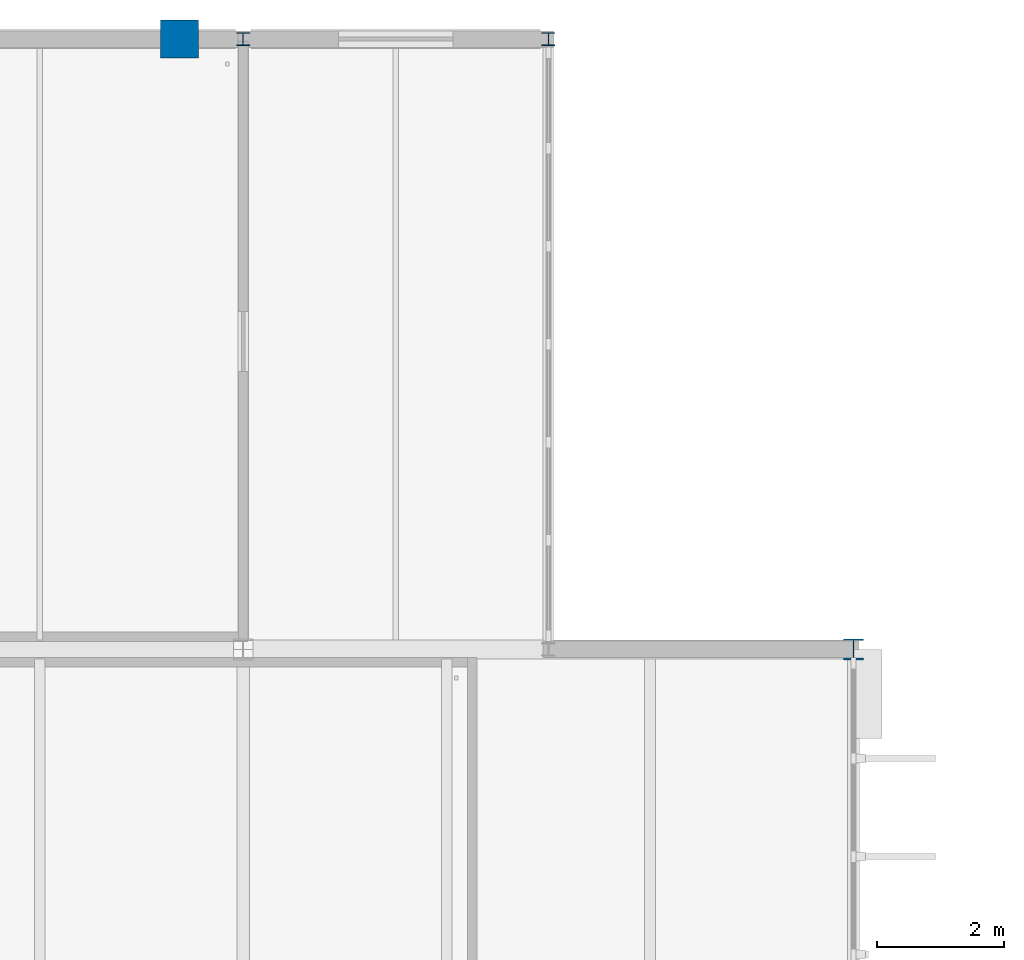
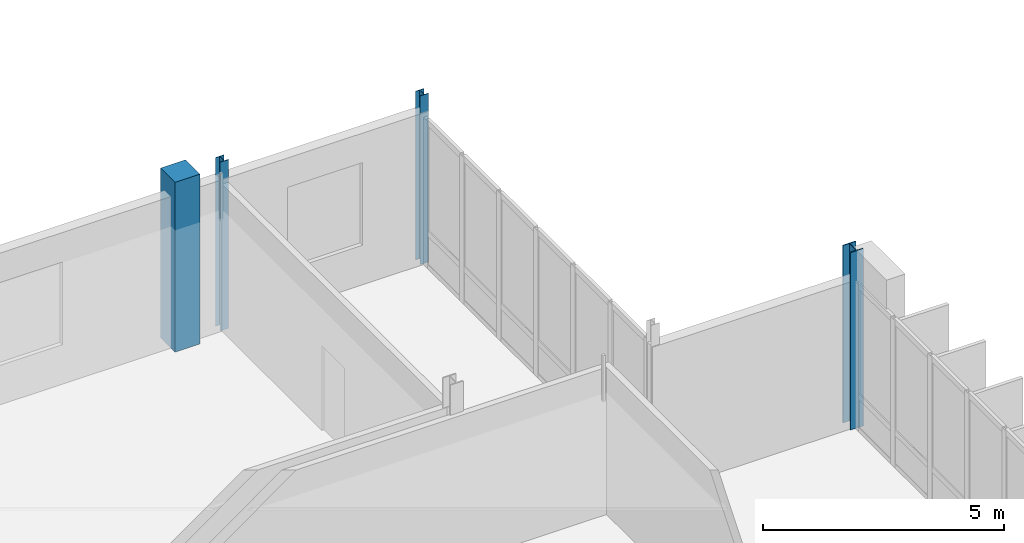
# One storey, part 11 of 110: 4 columns.
"""IFC4 building model written with IfcOpenShell, lengths in metres."""

import ifcopenshell
import ifcopenshell.guid

model = None  # the IFC model being written
_history = None  # IfcOwnerHistory: only IFC2X3 demands one
_inside = {}  # id of a spatial element -> (the spatial element, [elements in it])
_under = {}  # id of a project, library or spatial element -> (it, [spatial elements below it])
_declared = {}  # id of a project -> (the project, [libraries it declares])
_typed = {}  # id of a type object -> (the type object, [elements of that type])
_made_of = {}  # id of a material, layer set ... -> (it, [elements and type objects made of it])


def new_model(schema):
    """Start an empty IFC model of exactly this schema.

    Asked for "IFC4X3", IfcOpenShell would pick the latest addendum, in which some entities
    have other attributes; the version numbers below select the first issue.
    IFC2X3 requires an IfcOwnerHistory on every rooted entity: one is made here for all.
    """
    global model, _history
    if schema == "IFC4X3":
        model = ifcopenshell.file(schema_version=(4, 3, 0, 0))
    else:
        model = ifcopenshell.file(schema=schema)
    _inside.clear()
    _under.clear()
    _declared.clear()
    _typed.clear()
    _made_of.clear()
    _history = None
    if model.schema == "IFC2X3":
        org = make("IfcOrganization", Name="unknown")
        user = make(
            "IfcPersonAndOrganization",
            ThePerson=make("IfcPerson", FamilyName="unknown"),
            TheOrganization=org,
        )
        app = make(
            "IfcApplication",
            ApplicationDeveloper=org,
            Version="unknown",
            ApplicationFullName="unknown",
            ApplicationIdentifier="unknown",
        )
        _history = make(
            "IfcOwnerHistory",
            OwningUser=user,
            OwningApplication=app,
            ChangeAction="ADDED",
            CreationDate=0,
        )
    return model


def make(cls, **values):
    """One entity of the class cls with the attributes given. An attribute that is None is left unset."""
    return model.create_entity(
        cls, **{name: value for name, value in values.items() if value is not None}
    )


def rooted(cls, **values):
    """An entity with a GlobalId (a new one), such as an element, a storey or a relation."""
    return make(cls, GlobalId=ifcopenshell.guid.new(), OwnerHistory=_history, **values)


def si_unit(unit_type, name, prefix=None):
    """IfcSIUnit, for example si_unit("LENGTHUNIT", "METRE", prefix="MILLI")."""
    return make("IfcSIUnit", UnitType=unit_type, Prefix=prefix, Name=name)


def assignment(units):
    """IfcUnitAssignment: the units of a project."""
    return None if units is None else make("IfcUnitAssignment", Units=units)


def point(xyz):
    """IfcCartesianPoint."""
    return None if xyz is None else make("IfcCartesianPoint", Coordinates=xyz)


def direction(xyz):
    """IfcDirection."""
    return None if xyz is None else make("IfcDirection", DirectionRatios=xyz)


def frame(location, z_axis=None, x_axis=None):
    """IfcAxis2Placement3D, a coordinate frame: its origin and axes. An axis left out is left unset."""
    return make(
        "IfcAxis2Placement3D",
        Location=point(location),
        Axis=direction(z_axis),
        RefDirection=direction(x_axis),
    )


def frame_2d(location, x_axis=None):
    """IfcAxis2Placement2D, a coordinate frame in the plane: its origin and x axis."""
    return make(
        "IfcAxis2Placement2D", Location=point(location), RefDirection=direction(x_axis)
    )


def origin():
    """The frame at (0, 0, 0) with its axes left unset."""
    return frame((0.0, 0.0, 0.0))


def origin_2d():
    """The frame at (0, 0) in the plane with its x axis left unset."""
    return frame_2d((0.0, 0.0))


def place(relative_to, where):
    """IfcLocalPlacement: puts the frame where relative to a parent placement (None: the world)."""
    return make(
        "IfcLocalPlacement", PlacementRelTo=relative_to, RelativePlacement=where
    )


def context(
    kind, dimensions, precision=None, world=None, true_north=None, identifier=None
):
    """IfcGeometricRepresentationContext, for example the 3D "Model" context."""
    return make(
        "IfcGeometricRepresentationContext",
        ContextIdentifier=identifier,
        ContextType=kind,
        CoordinateSpaceDimension=dimensions,
        Precision=precision,
        WorldCoordinateSystem=world,
        TrueNorth=true_north,
    )


def subcontext(parent, identifier, kind, view, scale=None):
    """IfcGeometricRepresentationSubContext, for example "Body" below "Model"."""
    return make(
        "IfcGeometricRepresentationSubContext",
        ContextIdentifier=identifier,
        ContextType=kind,
        ParentContext=parent,
        TargetScale=scale,
        TargetView=view,
    )


def project(units=None, contexts=None):
    """IfcProject with its units and contexts."""
    return rooted(
        "IfcProject",
        Name="project",
        RepresentationContexts=contexts,
        UnitsInContext=assignment(units),
    )


def spatial(cls, under=None, at=None, **own):
    """A site, building, storey or space (cls), placed at a placement, below another one or the project."""
    s = rooted(cls, ObjectPlacement=at, **own)
    if under is not None:
        _under.setdefault(under.id(), (under, []))[1].append(s)
    return s


def profile(cls, at=None, kind="AREA", **sizes):
    """A parametric profile (cls). Its sizes go by their IFC names, for example OverallWidth=200.0."""
    return make(cls, ProfileType=kind, Position=at, **sizes)


def rectangle(**sizes):
    """IfcRectangleProfileDef."""
    return profile("IfcRectangleProfileDef", **sizes)


def i_section(**sizes):
    """IfcIShapeProfileDef."""
    return profile("IfcIShapeProfileDef", **sizes)


def extrude(swept, where, along, depth):
    """IfcExtrudedAreaSolid: the profile swept, set in the frame where, extruded along a direction by depth."""
    return make(
        "IfcExtrudedAreaSolid",
        SweptArea=swept,
        Position=where,
        ExtrudedDirection=direction(along),
        Depth=depth,
    )


def shape(context_of_items, identifier, shape_type, items):
    """IfcShapeRepresentation: the items that make up one representation, for example the "Body"."""
    return make(
        "IfcShapeRepresentation",
        ContextOfItems=context_of_items,
        RepresentationIdentifier=identifier,
        RepresentationType=shape_type,
        Items=items,
    )


def material(Name=None, Category=None):
    """IfcMaterial."""
    return make("IfcMaterial", Name=Name, Category=Category)


def material_profile(
    of_material, cross_section, Name=None, Category=None, Priority=None
):
    """IfcMaterialProfile: a cross section and its material."""
    return make(
        "IfcMaterialProfile",
        Name=Name,
        Material=of_material,
        Profile=cross_section,
        Priority=Priority,
        Category=Category,
    )


def profile_set(profiles, Name=None, composite=None):
    """IfcMaterialProfileSet."""
    return make(
        "IfcMaterialProfileSet",
        Name=Name,
        MaterialProfiles=profiles,
        CompositeProfile=composite,
    )


def made_of(thing, what):
    """Note that an element or type object is made of a material, layer set ...; save() writes the relation."""
    if what is not None:
        _made_of.setdefault(what.id(), (what, []))[1].append(thing)
    return thing


def type_object(cls, material=None, **own):
    """A type object (cls), such as IfcWallType, which elements share."""
    return made_of(rooted(cls, **own), material)


def element(
    cls,
    number,
    at=None,
    inside=None,
    cuts=None,
    type_object=None,
    material=None,
    context=None,
    identifier="Body",
    shape_type=None,
    held_by="IfcProductDefinitionShape",
    body=None,
    shapes=None,
    **own,
):
    """One element of the class cls, such as IfcWall. Its Tag is "e" and its number.

    at: its placement. inside: the storey or other place that contains it. cuts: it is an
    opening in that element (IfcRelVoidsElement). A single representation is given by context,
    identifier, shape_type and body (its items); several are given by shapes. held_by: the class
    of the entity that holds the representations. save() writes the other relations.
    """
    e = rooted(cls, Tag="e%d" % number, ObjectPlacement=at, **own)
    if body is not None:
        shapes = [shape(context, identifier, shape_type, body)]
    if shapes is not None:
        e.Representation = make(held_by, Representations=shapes)
    if inside is not None:
        _inside.setdefault(inside.id(), (inside, []))[1].append(e)
    if cuts is not None:
        rooted(
            "IfcRelVoidsElement", RelatingBuildingElement=cuts, RelatedOpeningElement=e
        )
    if type_object is not None:
        _typed.setdefault(type_object.id(), (type_object, []))[1].append(e)
    return made_of(e, material)


def aggregate(whole, parts):
    """IfcRelAggregates: a whole, such as a stair, and the parts it consists of."""
    return rooted("IfcRelAggregates", RelatingObject=whole, RelatedObjects=parts)


def save(model, path):
    """Write the relations noted so far, then the file.

    IfcRelAggregates (storeys below a building ...), IfcRelContainedInSpatialStructure (elements
    in a storey), IfcRelDefinesByType, IfcRelAssociatesMaterial and IfcRelDeclares: one each for
    every whole, place, type object, material and project.
    """
    for whole, parts in _under.values():
        aggregate(whole, parts)
    for where, things in _inside.values():
        rooted(
            "IfcRelContainedInSpatialStructure",
            RelatedElements=things,
            RelatingStructure=where,
        )
    for kind, things in _typed.values():
        rooted("IfcRelDefinesByType", RelatedObjects=things, RelatingType=kind)
    for what, things in _made_of.values():
        rooted("IfcRelAssociatesMaterial", RelatedObjects=things, RelatingMaterial=what)
    for by, libraries in _declared.values():
        rooted("IfcRelDeclares", RelatingContext=by, RelatedDefinitions=libraries)
    model.write(path)


model = new_model("IFC4")

# Units and contexts
model_context = context("Model", 3, precision=1e-05, world=origin(), true_north=direction((0.0, 1.0)))
body_context = subcontext(model_context, "Body", "Model", "MODEL_VIEW")
ifc_project = project(units=[si_unit("LENGTHUNIT", "METRE"), si_unit("AREAUNIT", "SQUARE_METRE"), si_unit("VOLUMEUNIT", "CUBIC_METRE"), si_unit("PLANEANGLEUNIT", "RADIAN"), si_unit("MASSUNIT", "GRAM", prefix="KILO")], contexts=[model_context])

# Site, building, storey
site_placement = place(None, origin())
site = spatial("IfcSite", under=ifc_project, at=site_placement, CompositionType="ELEMENT")
building_placement = place(site_placement, origin())
building = spatial("IfcBuilding", under=site, at=building_placement, Name="Dunescarp Central Library", CompositionType="ELEMENT")
storey_placement = place(building_placement, frame((0.0, 0.0, 9.60009765625)))
storey = spatial("IfcBuildingStorey", under=building, at=storey_placement, Name="L02", CompositionType="ELEMENT", Elevation=9.60009765625)

# Columns
ifc_material_1 = material(Name="Concrete C40/50", Category="concrete")
ifc_material_profile_1 = material_profile(ifc_material_1, rectangle(XDim=0.60009765625, YDim=0.60009765625, at=origin_2d()), Name="RC 600x600")
ifc_profile_set_1 = profile_set([ifc_material_profile_1], Name="Concrete C40/50")
column_type_1 = type_object("IfcColumnType", Name="STR-COL-RC600", PredefinedType="COLUMN", material=ifc_profile_set_1)
column_1_placement = place(storey_placement, frame((18.199951171875, 99.199951171875, 0.0), z_axis=(0.0, 0.0, 1.0), x_axis=(1.0, 0.0, 0.0)))
element("IfcColumn", 1, at=column_1_placement, inside=storey, type_object=column_type_1, Name="L02 column TERP-182-992", PredefinedType="COLUMN", context=body_context, shape_type="SweptSolid", body=[
    extrude(rectangle(XDim=0.60009765625, YDim=0.60009765625, at=origin_2d()), origin(), (0.0, 0.0, 1.0), 4.309814453125),
])
ifc_material_2 = material(Name="Steel S355JR", Category="steel")
ifc_material_profile_2 = material_profile(ifc_material_2, i_section(OverallWidth=0.20361328125, OverallDepth=0.203125, WebThickness=0.007080078125, FlangeThickness=0.010986328125, at=origin_2d()), Name="UC 203x203x46")
ifc_profile_set_2 = profile_set([ifc_material_profile_2], Name="Steel S355JR")
column_type_2 = type_object("IfcColumnType", Name="STR-COL-UC203X46", PredefinedType="COLUMN", material=ifc_profile_set_2)
for number, where, z_axis, x_axis, name in (
    (2, (19.199951171875, 99.199951171875, 0.0), (0.0, 0.0, 1.0), (1.0, 0.0, 0.0), "L02 column V4N1-192"),
    (3, (24.0, 99.199951171875, 0.0), (0.0, 0.0, 1.0), (1.0, 0.0, 0.0), "L02 column V4N1-240"),
):
    element("IfcColumn", number, at=place(storey_placement, frame(where, z_axis=z_axis, x_axis=x_axis)), inside=storey, type_object=column_type_2, Name=name, PredefinedType="COLUMN", context=body_context, shape_type="SweptSolid", body=[
        extrude(i_section(OverallWidth=0.20361328125, OverallDepth=0.203125, WebThickness=0.007080078125, FlangeThickness=0.010986328125, at=origin_2d()), origin(), (0.0, 0.0, 1.0), 4.27978515625),
    ])
ifc_material_profile_3 = material_profile(ifc_material_2, i_section(OverallWidth=0.311279296875, OverallDepth=0.3271484375, WebThickness=0.015869140625, FlangeThickness=0.02490234375, at=origin_2d()), Name="UC 305x305x158")
ifc_profile_set_3 = profile_set([ifc_material_profile_3], Name="Steel S355JR")
column_type_3 = type_object("IfcColumnType", Name="STR-COL-UC305X158", PredefinedType="COLUMN", material=ifc_profile_set_3)
column_2_placement = place(storey_placement, frame((28.800048828125, 89.60009765625, 0.0), z_axis=(0.0, 0.0, 1.0), x_axis=(1.0, 0.0, 0.0)))
element("IfcColumn", 4, at=column_2_placement, inside=storey, type_object=column_type_3, Name="L02 column V4M-288-896", PredefinedType="COLUMN", context=body_context, shape_type="SweptSolid", body=[
    extrude(i_section(OverallWidth=0.311279296875, OverallDepth=0.3271484375, WebThickness=0.015869140625, FlangeThickness=0.02490234375, at=origin_2d()), origin(), (0.0, 0.0, 1.0), 4.5),
])

save(model, "model.ifc")
